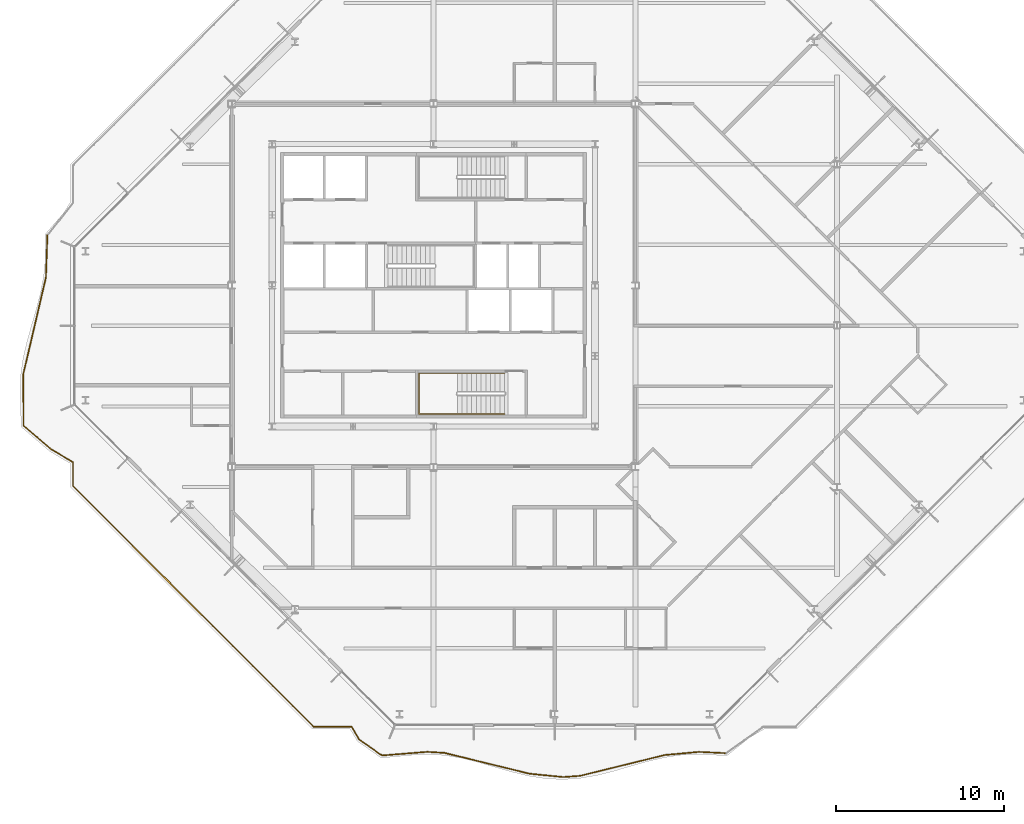
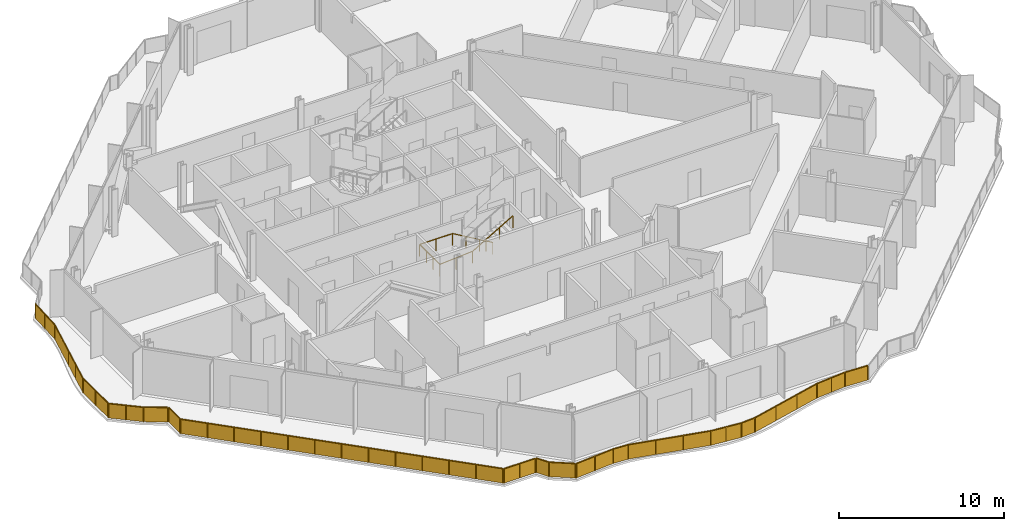
# One storey, part 13 of 17: 8 railings.
"""IFC4 building model written with IfcOpenShell, lengths in metres."""

from ifc_helpers import new_model, si_unit, direction, frame, origin, origin_2d, place, context, subcontext, project, spatial, polyline, rectangle, outline, extrude, material, type_object, element, save


model = new_model("IFC4")

# Units and contexts
model_context = context("Model", 3, precision=1e-05, world=origin(), true_north=direction((0.0, 1.0)))
body_context = subcontext(model_context, "Body", "Model", "MODEL_VIEW")
ifc_project = project(units=[si_unit("LENGTHUNIT", "METRE"), si_unit("AREAUNIT", "SQUARE_METRE"), si_unit("VOLUMEUNIT", "CUBIC_METRE"), si_unit("PLANEANGLEUNIT", "RADIAN"), si_unit("MASSUNIT", "GRAM", prefix="KILO")], contexts=[model_context])

# Site, building, storey
site_placement = place(None, origin())
site = spatial("IfcSite", under=ifc_project, at=site_placement, CompositionType="ELEMENT")
building_placement = place(site_placement, origin())
building = spatial("IfcBuilding", under=site, at=building_placement, Name="Cairn Pilgrim Tower", CompositionType="ELEMENT")
storey_placement = place(building_placement, frame((0.0, 0.0, 210.60009765625)))
storey = spatial("IfcBuildingStorey", under=building, at=storey_placement, Name="L53", CompositionType="ELEMENT", Elevation=210.60009765625)

# Railings
ifc_material_1 = material(Name="Bronze anodised aluminium rail and posts with laminated glass infill", Category="aluminium")
railing_type_1 = type_object("IfcRailingType", Name="BALCONY GUARD 1100", PredefinedType="GUARDRAIL", material=ifc_material_1)
railing_1_placement = place(storey_placement, frame((-15.768798828125, 5.373779296875, 0.0)))
element("IfcRailing", 1, at=railing_1_placement, inside=storey, type_object=railing_type_1, Name="Balcony guard BG-17", PredefinedType="GUARDRAIL", context=body_context, shape_type="SweptSolid", body=[
    extrude(rectangle(XDim=0.050048828125, YDim=0.050048828125, at=origin_2d()), frame((0.0, 0.0, 1.0751953125), z_axis=(-0.035428405129, -0.999372216999, 0.0), x_axis=(0.999372216999, -0.035428405129, 0.0)), (0.0, 0.0, 1.0), 2.51513671875),
    extrude(rectangle(XDim=0.050048828125, YDim=0.050048828125, at=origin_2d()), frame((-0.089111328125, -2.513671875, 1.0751953125), z_axis=(-0.22820844639, -0.973612297065, 0.0), x_axis=(0.973612297065, -0.22820844639, 0.0)), (0.0, 0.0, 1.0), 5.912841796875),
    extrude(rectangle(XDim=0.050048828125, YDim=0.050048828125, at=origin_2d()), frame((-1.4384765625, -8.2705078125, 1.0751953125), z_axis=(0.006776460996, -0.999977039525, 0.0), x_axis=(0.999977039525, 0.006776460996, 0.0)), (0.0, 0.0, 1.0), 2.990234375),
    extrude(rectangle(XDim=0.050048828125, YDim=0.050048828125, at=origin_2d()), origin(), (0.0, 0.0, 1.0), 1.050048828125),
    extrude(rectangle(XDim=0.050048828125, YDim=0.050048828125, at=origin_2d()), frame((-0.04443359375, -1.2568359375, 0.0)), (0.0, 0.0, 1.0), 1.050048828125),
    extrude(rectangle(XDim=0.050048828125, YDim=0.050048828125, at=origin_2d()), frame((-0.089111328125, -2.513671875, 0.0)), (0.0, 0.0, 1.0), 1.050048828125),
    extrude(rectangle(XDim=0.050048828125, YDim=0.050048828125, at=origin_2d()), frame((-0.426513671875, -3.952880859375, 0.0)), (0.0, 0.0, 1.0), 1.050048828125),
    extrude(rectangle(XDim=0.050048828125, YDim=0.050048828125, at=origin_2d()), frame((-0.763671875, -5.39208984375, 0.0)), (0.0, 0.0, 1.0), 1.050048828125),
    extrude(rectangle(XDim=0.050048828125, YDim=0.050048828125, at=origin_2d()), frame((-1.10107421875, -6.831298828125, 0.0)), (0.0, 0.0, 1.0), 1.050048828125),
    extrude(rectangle(XDim=0.050048828125, YDim=0.050048828125, at=origin_2d()), frame((-1.4384765625, -8.2705078125, 0.0)), (0.0, 0.0, 1.0), 1.050048828125),
    extrude(rectangle(XDim=0.050048828125, YDim=0.050048828125, at=origin_2d()), frame((-1.42822265625, -9.765625, 0.0)), (0.0, 0.0, 1.0), 1.050048828125),
    extrude(rectangle(XDim=0.050048828125, YDim=0.050048828125, at=origin_2d()), frame((-1.418212890625, -11.2607421875, 0.0)), (0.0, 0.0, 1.0), 1.050048828125),
    extrude(outline(polyline([(0.02490234375, 0.0), (1.232666015625, 0.0), (1.232666015625, 1.050048828125), (0.02490234375, 1.050048828125), (0.02490234375, 0.0)])), frame((0.005859375, -0.000244140625, 0.0), z_axis=(-0.999372216999, 0.035428405129, 0.0), x_axis=(-0.035428405129, -0.999372216999, 0.0)), (0.0, 0.0, 1.0), 0.011962890625),
    extrude(outline(polyline([(0.02490234375, 0.0), (1.232666015625, 0.0), (1.232666015625, 1.050048828125), (0.02490234375, 1.050048828125), (0.02490234375, 0.0)])), frame((-0.03857421875, -1.257080078125, 0.0), z_axis=(-0.999372216999, 0.035428405129, 0.0), x_axis=(-0.035428405129, -0.999372216999, 0.0)), (0.0, 0.0, 1.0), 0.011962890625),
    extrude(outline(polyline([(0.02490234375, 0.0), (1.453125, 0.0), (1.453125, 1.050048828125), (0.02490234375, 1.050048828125), (0.02490234375, 0.0)])), frame((-0.083251953125, -2.51513671875, 0.0), z_axis=(-0.973612297065, 0.22820844639, 0.0), x_axis=(-0.22820844639, -0.973612297065, 0.0)), (0.0, 0.0, 1.0), 0.011962890625),
    extrude(outline(polyline([(0.02490234375, 0.0), (1.453125, 0.0), (1.453125, 1.050048828125), (0.02490234375, 1.050048828125), (0.02490234375, 0.0)])), frame((-0.420654296875, -3.954345703125, 0.0), z_axis=(-0.973612297065, 0.22820844639, 0.0), x_axis=(-0.22820844639, -0.973612297065, 0.0)), (0.0, 0.0, 1.0), 0.011962890625),
    extrude(outline(polyline([(0.02490234375, 0.0), (1.453125, 0.0), (1.453125, 1.050048828125), (0.02490234375, 1.050048828125), (0.02490234375, 0.0)])), frame((-0.758056640625, -5.3935546875, 0.0), z_axis=(-0.973612297065, 0.22820844639, 0.0), x_axis=(-0.22820844639, -0.973612297065, 0.0)), (0.0, 0.0, 1.0), 0.011962890625),
    extrude(outline(polyline([(0.02490234375, 0.0), (1.453125, 0.0), (1.453125, 1.050048828125), (0.02490234375, 1.050048828125), (0.02490234375, 0.0)])), frame((-1.09521484375, -6.832763671875, 0.0), z_axis=(-0.973612297065, 0.22820844639, 0.0), x_axis=(-0.22820844639, -0.973612297065, 0.0)), (0.0, 0.0, 1.0), 0.011962890625),
    extrude(outline(polyline([(0.02490234375, 0.0), (1.47021484375, 0.0), (1.47021484375, 1.050048828125), (0.02490234375, 1.050048828125), (0.02490234375, 0.0)])), frame((-1.4326171875, -8.2705078125, 0.0), z_axis=(-0.999977039525, -0.006776460996, 0.0), x_axis=(0.006776460996, -0.999977039525, 0.0)), (0.0, 0.0, 1.0), 0.011962890625),
    extrude(outline(polyline([(0.02490234375, 0.0), (1.47021484375, 0.0), (1.47021484375, 1.050048828125), (0.02490234375, 1.050048828125), (0.02490234375, 0.0)])), frame((-1.42236328125, -9.765625, 0.0), z_axis=(-0.999977039525, -0.006776460996, 0.0), x_axis=(0.006776460996, -0.999977039525, 0.0)), (0.0, 0.0, 1.0), 0.011962890625),
])
railing_2_placement = place(storey_placement, frame((-17.1865234375, -5.94677734375, 0.0)))
element("IfcRailing", 2, at=railing_2_placement, inside=storey, type_object=railing_type_1, Name="Balcony guard BG-18", PredefinedType="GUARDRAIL", context=body_context, shape_type="SweptSolid", body=[
    extrude(rectangle(XDim=0.050048828125, YDim=0.050048828125, at=origin_2d()), frame((0.0, 0.0, 1.0751953125), z_axis=(0.758798823345, -0.65132506914, 0.0), x_axis=(0.65132506914, 0.758798823345, 0.0)), (0.0, 0.0, 1.0), 2.146728515625),
    extrude(rectangle(XDim=0.050048828125, YDim=0.050048828125, at=origin_2d()), frame((1.62890625, -1.398193359375, 1.0751953125), z_axis=(0.861779133376, -0.507283673379, 0.0), x_axis=(0.507283673379, 0.861779133376, 0.0)), (0.0, 0.0, 1.0), 1.457275390625),
    extrude(rectangle(XDim=0.050048828125, YDim=0.050048828125, at=origin_2d()), origin(), (0.0, 0.0, 1.0), 1.050048828125),
    extrude(rectangle(XDim=0.050048828125, YDim=0.050048828125, at=origin_2d()), frame((0.814453125, -0.69921875, 0.0)), (0.0, 0.0, 1.0), 1.050048828125),
    extrude(rectangle(XDim=0.050048828125, YDim=0.050048828125, at=origin_2d()), frame((1.62890625, -1.398193359375, 0.0)), (0.0, 0.0, 1.0), 1.050048828125),
    extrude(rectangle(XDim=0.050048828125, YDim=0.050048828125, at=origin_2d()), frame((2.884765625, -2.137451171875, 0.0)), (0.0, 0.0, 1.0), 1.050048828125),
    extrude(outline(polyline([(0.02490234375, 0.0), (1.04833984375, 0.0), (1.04833984375, 1.050048828125), (0.02490234375, 1.050048828125), (0.02490234375, 0.0)])), frame((0.00390625, 0.004638671875, 0.0), z_axis=(-0.65132506914, -0.758798823345, 0.0), x_axis=(0.758798823345, -0.65132506914, 0.0)), (0.0, 0.0, 1.0), 0.011962890625),
    extrude(outline(polyline([(0.02490234375, 0.0), (1.04833984375, 0.0), (1.04833984375, 1.050048828125), (0.02490234375, 1.050048828125), (0.02490234375, 0.0)])), frame((0.818359375, -0.694580078125, 0.0), z_axis=(-0.65132506914, -0.758798823345, 0.0), x_axis=(0.758798823345, -0.65132506914, 0.0)), (0.0, 0.0, 1.0), 0.011962890625),
    extrude(outline(polyline([(0.02490234375, 0.0), (1.432373046875, 0.0), (1.432373046875, 1.050048828125), (0.02490234375, 1.050048828125), (0.02490234375, 0.0)])), frame((1.6318359375, -1.39306640625, 0.0), z_axis=(-0.507283673379, -0.861779133376, 0.0), x_axis=(0.861779133376, -0.507283673379, 0.0)), (0.0, 0.0, 1.0), 0.011962890625),
])
railing_3_placement = place(storey_placement, frame((-14.25, -8.114501953125, 0.0)))
element("IfcRailing", 3, at=railing_3_placement, inside=storey, type_object=railing_type_1, Name="Balcony guard BG-19", PredefinedType="GUARDRAIL", context=body_context, shape_type="SweptSolid", body=[
    extrude(rectangle(XDim=0.050048828125, YDim=0.050048828125, at=origin_2d()), frame((0.0, 0.0, 1.0751953125), z_axis=(0.0, -1.0, 0.0), x_axis=(1.0, 0.0, 0.0)), (0.0, 0.0, 1.0), 1.36328125),
    extrude(rectangle(XDim=0.050048828125, YDim=0.050048828125, at=origin_2d()), origin(), (0.0, 0.0, 1.0), 1.050048828125),
    extrude(rectangle(XDim=0.050048828125, YDim=0.050048828125, at=origin_2d()), frame((0.0, -1.36328125, 0.0)), (0.0, 0.0, 1.0), 1.050048828125),
    extrude(outline(polyline([(0.02490234375, 0.0), (1.33837890625, 0.0), (1.33837890625, 1.050048828125), (0.02490234375, 1.050048828125), (0.02490234375, 0.0)])), frame((0.005859375, 0.0, 0.0), z_axis=(-1.0, 0.0, 0.0), x_axis=(0.0, -1.0, 0.0)), (0.0, 0.0, 1.0), 0.011962890625),
])
railing_4_placement = place(storey_placement, frame((-14.25, -9.537841796875, 0.0)))
element("IfcRailing", 4, at=railing_4_placement, inside=storey, type_object=railing_type_1, Name="Balcony guard BG-20", PredefinedType="GUARDRAIL", context=body_context, shape_type="SweptSolid", body=[
    extrude(rectangle(XDim=0.050048828125, YDim=0.050048828125, at=origin_2d()), frame((0.0, 0.0, 1.0751953125), z_axis=(0.707106781187, -0.707106781187, 0.0), x_axis=(0.707106781187, 0.707106781187, 0.0)), (0.0, 0.0, 1.0), 20.180419921875),
    extrude(rectangle(XDim=0.050048828125, YDim=0.050048828125, at=origin_2d()), origin(), (0.0, 0.0, 1.0), 1.050048828125),
    extrude(rectangle(XDim=0.050048828125, YDim=0.050048828125, at=origin_2d()), frame((1.189208984375, -1.189208984375, 0.0)), (0.0, 0.0, 1.0), 1.050048828125),
    extrude(rectangle(XDim=0.050048828125, YDim=0.050048828125, at=origin_2d()), frame((2.37841796875, -2.37841796875, 0.0)), (0.0, 0.0, 1.0), 1.050048828125),
    extrude(rectangle(XDim=0.050048828125, YDim=0.050048828125, at=origin_2d()), frame((3.5673828125, -3.5673828125, 0.0)), (0.0, 0.0, 1.0), 1.050048828125),
    extrude(rectangle(XDim=0.050048828125, YDim=0.050048828125, at=origin_2d()), frame((4.756591796875, -4.756591796875, 0.0)), (0.0, 0.0, 1.0), 1.050048828125),
    extrude(rectangle(XDim=0.050048828125, YDim=0.050048828125, at=origin_2d()), frame((5.94580078125, -5.94580078125, 0.0)), (0.0, 0.0, 1.0), 1.050048828125),
    extrude(rectangle(XDim=0.050048828125, YDim=0.050048828125, at=origin_2d()), frame((7.134765625, -7.134765625, 0.0)), (0.0, 0.0, 1.0), 1.050048828125),
    extrude(rectangle(XDim=0.050048828125, YDim=0.050048828125, at=origin_2d()), frame((8.323974609375, -8.323974609375, 0.0)), (0.0, 0.0, 1.0), 1.050048828125),
    extrude(rectangle(XDim=0.050048828125, YDim=0.050048828125, at=origin_2d()), frame((9.51318359375, -9.51318359375, 0.0)), (0.0, 0.0, 1.0), 1.050048828125),
    extrude(rectangle(XDim=0.050048828125, YDim=0.050048828125, at=origin_2d()), frame((10.702392578125, -10.702392578125, 0.0)), (0.0, 0.0, 1.0), 1.050048828125),
    extrude(rectangle(XDim=0.050048828125, YDim=0.050048828125, at=origin_2d()), frame((11.8916015625, -11.8916015625, 0.0)), (0.0, 0.0, 1.0), 1.050048828125),
    extrude(rectangle(XDim=0.050048828125, YDim=0.050048828125, at=origin_2d()), frame((13.08056640625, -13.08056640625, 0.0)), (0.0, 0.0, 1.0), 1.050048828125),
    extrude(rectangle(XDim=0.050048828125, YDim=0.050048828125, at=origin_2d()), frame((14.269775390625, -14.269775390625, 0.0)), (0.0, 0.0, 1.0), 1.050048828125),
    extrude(outline(polyline([(0.02490234375, 0.0), (1.65673828125, 0.0), (1.65673828125, 1.050048828125), (0.02490234375, 1.050048828125), (0.02490234375, 0.0)])), frame((0.004150390625, 0.004150390625, 0.0), z_axis=(-0.707106781187, -0.707106781187, 0.0), x_axis=(0.707106781187, -0.707106781187, 0.0)), (0.0, 0.0, 1.0), 0.011962890625),
    extrude(outline(polyline([(0.02490234375, 0.0), (1.65673828125, 0.0), (1.65673828125, 1.050048828125), (0.02490234375, 1.050048828125), (0.02490234375, 0.0)])), frame((1.193359375, -1.184814453125, 0.0), z_axis=(-0.707106781187, -0.707106781187, 0.0), x_axis=(0.707106781187, -0.707106781187, 0.0)), (0.0, 0.0, 1.0), 0.011962890625),
    extrude(outline(polyline([(0.02490234375, 0.0), (1.65673828125, 0.0), (1.65673828125, 1.050048828125), (0.02490234375, 1.050048828125), (0.02490234375, 0.0)])), frame((2.382568359375, -2.3740234375, 0.0), z_axis=(-0.707106781187, -0.707106781187, 0.0), x_axis=(0.707106781187, -0.707106781187, 0.0)), (0.0, 0.0, 1.0), 0.011962890625),
    extrude(outline(polyline([(0.02490234375, 0.0), (1.65673828125, 0.0), (1.65673828125, 1.050048828125), (0.02490234375, 1.050048828125), (0.02490234375, 0.0)])), frame((3.57177734375, -3.563232421875, 0.0), z_axis=(-0.707106781187, -0.707106781187, 0.0), x_axis=(0.707106781187, -0.707106781187, 0.0)), (0.0, 0.0, 1.0), 0.011962890625),
    extrude(outline(polyline([(0.02490234375, 0.0), (1.65673828125, 0.0), (1.65673828125, 1.050048828125), (0.02490234375, 1.050048828125), (0.02490234375, 0.0)])), frame((4.7607421875, -4.75244140625, 0.0), z_axis=(-0.707106781187, -0.707106781187, 0.0), x_axis=(0.707106781187, -0.707106781187, 0.0)), (0.0, 0.0, 1.0), 0.011962890625),
    extrude(outline(polyline([(0.02490234375, 0.0), (1.65673828125, 0.0), (1.65673828125, 1.050048828125), (0.02490234375, 1.050048828125), (0.02490234375, 0.0)])), frame((5.949951171875, -5.94140625, 0.0), z_axis=(-0.707106781187, -0.707106781187, 0.0), x_axis=(0.707106781187, -0.707106781187, 0.0)), (0.0, 0.0, 1.0), 0.011962890625),
    extrude(outline(polyline([(0.02490234375, 0.0), (1.65673828125, 0.0), (1.65673828125, 1.050048828125), (0.02490234375, 1.050048828125), (0.02490234375, 0.0)])), frame((7.13916015625, -7.130615234375, 0.0), z_axis=(-0.707106781187, -0.707106781187, 0.0), x_axis=(0.707106781187, -0.707106781187, 0.0)), (0.0, 0.0, 1.0), 0.011962890625),
    extrude(outline(polyline([(0.02490234375, 0.0), (1.65673828125, 0.0), (1.65673828125, 1.050048828125), (0.02490234375, 1.050048828125), (0.02490234375, 0.0)])), frame((8.328369140625, -8.31982421875, 0.0), z_axis=(-0.707106781187, -0.707106781187, 0.0), x_axis=(0.707106781187, -0.707106781187, 0.0)), (0.0, 0.0, 1.0), 0.011962890625),
    extrude(outline(polyline([(0.02490234375, 0.0), (1.65673828125, 0.0), (1.65673828125, 1.050048828125), (0.02490234375, 1.050048828125), (0.02490234375, 0.0)])), frame((9.517333984375, -9.509033203125, 0.0), z_axis=(-0.707106781187, -0.707106781187, 0.0), x_axis=(0.707106781187, -0.707106781187, 0.0)), (0.0, 0.0, 1.0), 0.011962890625),
    extrude(outline(polyline([(0.02490234375, 0.0), (1.65673828125, 0.0), (1.65673828125, 1.050048828125), (0.02490234375, 1.050048828125), (0.02490234375, 0.0)])), frame((10.70654296875, -10.697998046875, 0.0), z_axis=(-0.707106781187, -0.707106781187, 0.0), x_axis=(0.707106781187, -0.707106781187, 0.0)), (0.0, 0.0, 1.0), 0.011962890625),
    extrude(outline(polyline([(0.02490234375, 0.0), (1.65673828125, 0.0), (1.65673828125, 1.050048828125), (0.02490234375, 1.050048828125), (0.02490234375, 0.0)])), frame((11.895751953125, -11.88720703125, 0.0), z_axis=(-0.707106781187, -0.707106781187, 0.0), x_axis=(0.707106781187, -0.707106781187, 0.0)), (0.0, 0.0, 1.0), 0.011962890625),
    extrude(outline(polyline([(0.02490234375, 0.0), (1.65673828125, 0.0), (1.65673828125, 1.050048828125), (0.02490234375, 1.050048828125), (0.02490234375, 0.0)])), frame((13.0849609375, -13.076416015625, 0.0), z_axis=(-0.707106781187, -0.707106781187, 0.0), x_axis=(0.707106781187, -0.707106781187, 0.0)), (0.0, 0.0, 1.0), 0.011962890625),
])
railing_5_placement = place(storey_placement, frame((0.06201171875, -23.85009765625, 0.0)))
element("IfcRailing", 5, at=railing_5_placement, inside=storey, type_object=railing_type_1, Name="Balcony guard BG-21", PredefinedType="GUARDRAIL", context=body_context, shape_type="SweptSolid", body=[
    extrude(rectangle(XDim=0.050048828125, YDim=0.050048828125, at=origin_2d()), frame((0.0, 0.0, 1.0751953125), z_axis=(1.0, 0.0, 0.0), x_axis=(0.0, 1.0, 0.0)), (0.0, 0.0, 1.0), 2.19873046875),
    extrude(rectangle(XDim=0.050048828125, YDim=0.050048828125, at=origin_2d()), origin(), (0.0, 0.0, 1.0), 1.050048828125),
    extrude(rectangle(XDim=0.050048828125, YDim=0.050048828125, at=origin_2d()), frame((1.099365234375, 0.0, 0.0)), (0.0, 0.0, 1.0), 1.050048828125),
    extrude(rectangle(XDim=0.050048828125, YDim=0.050048828125, at=origin_2d()), frame((2.19873046875, 0.0, 0.0)), (0.0, 0.0, 1.0), 1.050048828125),
    extrude(outline(polyline([(0.02490234375, 0.0), (1.07421875, 0.0), (1.07421875, 1.050048828125), (0.02490234375, 1.050048828125), (0.02490234375, 0.0)])), frame((0.0, 0.005859375, 0.0), z_axis=(0.0, -1.0, 0.0), x_axis=(1.0, 0.0, 0.0)), (0.0, 0.0, 1.0), 0.011962890625),
    extrude(outline(polyline([(0.02490234375, 0.0), (1.07421875, 0.0), (1.07421875, 1.050048828125), (0.02490234375, 1.050048828125), (0.02490234375, 0.0)])), frame((1.099365234375, 0.005859375, 0.0), z_axis=(0.0, -1.0, 0.0), x_axis=(1.0, 0.0, 0.0)), (0.0, 0.0, 1.0), 0.011962890625),
])
railing_6_placement = place(storey_placement, frame((2.32080078125, -23.85009765625, 0.0)))
element("IfcRailing", 6, at=railing_6_placement, inside=storey, type_object=railing_type_1, Name="Balcony guard BG-22", PredefinedType="GUARDRAIL", context=body_context, shape_type="SweptSolid", body=[
    extrude(rectangle(XDim=0.050048828125, YDim=0.050048828125, at=origin_2d()), frame((0.0, 0.0, 1.0751953125), z_axis=(0.510036263189, -0.860152899334, 0.0), x_axis=(0.860152899334, 0.510036263189, 0.0)), (0.0, 0.0, 1.0), 0.886962890625),
    extrude(rectangle(XDim=0.050048828125, YDim=0.050048828125, at=origin_2d()), frame((0.452392578125, -0.762939453125, 1.0751953125), z_axis=(0.81833350381, -0.574743661593, 0.0), x_axis=(0.574743661593, 0.81833350381, 0.0)), (0.0, 0.0, 1.0), 1.59765625),
    extrude(rectangle(XDim=0.050048828125, YDim=0.050048828125, at=origin_2d()), origin(), (0.0, 0.0, 1.0), 1.050048828125),
    extrude(rectangle(XDim=0.050048828125, YDim=0.050048828125, at=origin_2d()), frame((0.452392578125, -0.762939453125, 0.0)), (0.0, 0.0, 1.0), 1.050048828125),
    extrude(rectangle(XDim=0.050048828125, YDim=0.050048828125, at=origin_2d()), frame((1.759765625, -1.68115234375, 0.0)), (0.0, 0.0, 1.0), 1.050048828125),
    extrude(outline(polyline([(0.02490234375, 0.0), (0.862060546875, 0.0), (0.862060546875, 1.050048828125), (0.02490234375, 1.050048828125), (0.02490234375, 0.0)])), frame((0.005126953125, 0.0029296875, 0.0), z_axis=(-0.860152899334, -0.510036263189, 0.0), x_axis=(0.510036263189, -0.860152899334, 0.0)), (0.0, 0.0, 1.0), 0.011962890625),
    extrude(outline(polyline([(0.02490234375, 0.0), (1.572509765625, 0.0), (1.572509765625, 1.050048828125), (0.02490234375, 1.050048828125), (0.02490234375, 0.0)])), frame((0.455810546875, -0.758056640625, 0.0), z_axis=(-0.574743661593, -0.81833350381, 0.0), x_axis=(0.81833350381, -0.574743661593, 0.0)), (0.0, 0.0, 1.0), 0.011962890625),
])
railing_7_placement = place(storey_placement, frame((4.129638671875, -25.56591796875, 0.0)))
element("IfcRailing", 7, at=railing_7_placement, inside=storey, type_object=railing_type_1, Name="Balcony guard BG-23", PredefinedType="GUARDRAIL", context=body_context, shape_type="SweptSolid", body=[
    extrude(rectangle(XDim=0.050048828125, YDim=0.050048828125, at=origin_2d()), frame((0.0, 0.0, 1.0751953125), z_axis=(0.996782401205, 0.08015512865, 0.0), x_axis=(-0.08015512865, 0.996782401205, 0.0)), (0.0, 0.0, 1.0), 2.69873046875),
    extrude(rectangle(XDim=0.050048828125, YDim=0.050048828125, at=origin_2d()), frame((2.68994140625, 0.21630859375, 1.0751953125), z_axis=(0.998193842621, -0.060075390576, 0.0), x_axis=(0.060075390576, 0.998193842621, 0.0)), (0.0, 0.0, 1.0), 1.036376953125),
    extrude(rectangle(XDim=0.050048828125, YDim=0.050048828125, at=origin_2d()), frame((3.724365234375, 0.154052734375, 1.0751953125), z_axis=(0.971322740199, -0.237764872033, 0.0), x_axis=(0.237764872033, 0.971322740199, 0.0)), (0.0, 0.0, 1.0), 5.204833984375),
    extrude(rectangle(XDim=0.050048828125, YDim=0.050048828125, at=origin_2d()), frame((8.780029296875, -1.08349609375, 1.0751953125), z_axis=(0.995052829386, -0.099347202934, 0.0), x_axis=(0.099347202934, 0.995052829386, 0.0)), (0.0, 0.0, 1.0), 2.0078125),
    extrude(rectangle(XDim=0.050048828125, YDim=0.050048828125, at=origin_2d()), frame((10.77783203125, -1.282958984375, 1.0751953125), z_axis=(0.997600979407, 0.0692263381, 0.0), x_axis=(-0.0692263381, 0.997600979407, 0.0)), (0.0, 0.0, 1.0), 0.987548828125),
    extrude(rectangle(XDim=0.050048828125, YDim=0.050048828125, at=origin_2d()), frame((11.762939453125, -1.214599609375, 1.0751953125), z_axis=(0.971022252206, 0.238989091219, 0.0), x_axis=(-0.238989091219, 0.971022252206, 0.0)), (0.0, 0.0, 1.0), 5.20166015625),
    extrude(rectangle(XDim=0.050048828125, YDim=0.050048828125, at=origin_2d()), frame((16.81396484375, 0.028564453125, 1.0751953125), z_axis=(0.99590003306, 0.090460622102, 0.0), x_axis=(-0.090460622102, 0.99590003306, 0.0)), (0.0, 0.0, 1.0), 2.051025390625),
    extrude(rectangle(XDim=0.050048828125, YDim=0.050048828125, at=origin_2d()), frame((18.856689453125, 0.214111328125, 1.0751953125), z_axis=(0.998861071267, -0.047713313738, 0.0), x_axis=(0.047713313738, 0.998861071267, 0.0)), (0.0, 0.0, 1.0), 1.565673828125),
    extrude(rectangle(XDim=0.050048828125, YDim=0.050048828125, at=origin_2d()), origin(), (0.0, 0.0, 1.0), 1.050048828125),
    extrude(rectangle(XDim=0.050048828125, YDim=0.050048828125, at=origin_2d()), frame((1.344970703125, 0.108154296875, 0.0)), (0.0, 0.0, 1.0), 1.050048828125),
    extrude(rectangle(XDim=0.050048828125, YDim=0.050048828125, at=origin_2d()), frame((2.68994140625, 0.21630859375, 0.0)), (0.0, 0.0, 1.0), 1.050048828125),
    extrude(rectangle(XDim=0.050048828125, YDim=0.050048828125, at=origin_2d()), frame((3.724365234375, 0.154052734375, 0.0)), (0.0, 0.0, 1.0), 1.050048828125),
    extrude(rectangle(XDim=0.050048828125, YDim=0.050048828125, at=origin_2d()), frame((5.40966796875, -0.258544921875, 0.0)), (0.0, 0.0, 1.0), 1.050048828125),
    extrude(rectangle(XDim=0.050048828125, YDim=0.050048828125, at=origin_2d()), frame((7.0947265625, -0.6708984375, 0.0)), (0.0, 0.0, 1.0), 1.050048828125),
    extrude(rectangle(XDim=0.050048828125, YDim=0.050048828125, at=origin_2d()), frame((8.780029296875, -1.08349609375, 0.0)), (0.0, 0.0, 1.0), 1.050048828125),
    extrude(rectangle(XDim=0.050048828125, YDim=0.050048828125, at=origin_2d()), frame((9.77880859375, -1.18310546875, 0.0)), (0.0, 0.0, 1.0), 1.050048828125),
    extrude(rectangle(XDim=0.050048828125, YDim=0.050048828125, at=origin_2d()), frame((10.77783203125, -1.282958984375, 0.0)), (0.0, 0.0, 1.0), 1.050048828125),
    extrude(rectangle(XDim=0.050048828125, YDim=0.050048828125, at=origin_2d()), frame((11.762939453125, -1.214599609375, 0.0)), (0.0, 0.0, 1.0), 1.050048828125),
    extrude(rectangle(XDim=0.050048828125, YDim=0.050048828125, at=origin_2d()), frame((13.446533203125, -0.80029296875, 0.0)), (0.0, 0.0, 1.0), 1.050048828125),
    extrude(rectangle(XDim=0.050048828125, YDim=0.050048828125, at=origin_2d()), frame((15.13037109375, -0.3857421875, 0.0)), (0.0, 0.0, 1.0), 1.050048828125),
    extrude(rectangle(XDim=0.050048828125, YDim=0.050048828125, at=origin_2d()), frame((16.81396484375, 0.028564453125, 0.0)), (0.0, 0.0, 1.0), 1.050048828125),
    extrude(rectangle(XDim=0.050048828125, YDim=0.050048828125, at=origin_2d()), frame((17.83544921875, 0.121337890625, 0.0)), (0.0, 0.0, 1.0), 1.050048828125),
    extrude(rectangle(XDim=0.050048828125, YDim=0.050048828125, at=origin_2d()), frame((18.856689453125, 0.214111328125, 0.0)), (0.0, 0.0, 1.0), 1.050048828125),
    extrude(rectangle(XDim=0.050048828125, YDim=0.050048828125, at=origin_2d()), frame((20.420654296875, 0.139404296875, 0.0)), (0.0, 0.0, 1.0), 1.050048828125),
    extrude(outline(polyline([(0.02490234375, 0.0), (1.32421875, 0.0), (1.32421875, 1.050048828125), (0.02490234375, 1.050048828125), (0.02490234375, 0.0)])), frame((-0.00048828125, 0.005859375, 0.0), z_axis=(0.08015512865, -0.996782401205, 0.0), x_axis=(0.996782401205, 0.08015512865, 0.0)), (0.0, 0.0, 1.0), 0.011962890625),
    extrude(outline(polyline([(0.02490234375, 0.0), (1.32421875, 0.0), (1.32421875, 1.050048828125), (0.02490234375, 1.050048828125), (0.02490234375, 0.0)])), frame((1.344482421875, 0.114013671875, 0.0), z_axis=(0.08015512865, -0.996782401205, 0.0), x_axis=(0.996782401205, 0.08015512865, 0.0)), (0.0, 0.0, 1.0), 0.011962890625),
    extrude(outline(polyline([(0.02490234375, 0.0), (1.01123046875, 0.0), (1.01123046875, 1.050048828125), (0.02490234375, 1.050048828125), (0.02490234375, 0.0)])), frame((2.690185546875, 0.22216796875, 0.0), z_axis=(-0.060075390576, -0.998193842621, 0.0), x_axis=(0.998193842621, -0.060075390576, 0.0)), (0.0, 0.0, 1.0), 0.011962890625),
    extrude(outline(polyline([(0.02490234375, 0.0), (1.7099609375, 0.0), (1.7099609375, 1.050048828125), (0.02490234375, 1.050048828125), (0.02490234375, 0.0)])), frame((3.725830078125, 0.159912109375, 0.0), z_axis=(-0.237764872033, -0.971322740199, 0.0), x_axis=(0.971322740199, -0.237764872033, 0.0)), (0.0, 0.0, 1.0), 0.011962890625),
    extrude(outline(polyline([(0.02490234375, 0.0), (1.7099609375, 0.0), (1.7099609375, 1.050048828125), (0.02490234375, 1.050048828125), (0.02490234375, 0.0)])), frame((5.410888671875, -0.252685546875, 0.0), z_axis=(-0.237764872033, -0.971322740199, 0.0), x_axis=(0.971322740199, -0.237764872033, 0.0)), (0.0, 0.0, 1.0), 0.011962890625),
    extrude(outline(polyline([(0.02490234375, 0.0), (1.7099609375, 0.0), (1.7099609375, 1.050048828125), (0.02490234375, 1.050048828125), (0.02490234375, 0.0)])), frame((7.09619140625, -0.665283203125, 0.0), z_axis=(-0.237764872033, -0.971322740199, 0.0), x_axis=(0.971322740199, -0.237764872033, 0.0)), (0.0, 0.0, 1.0), 0.011962890625),
    extrude(outline(polyline([(0.02490234375, 0.0), (0.978759765625, 0.0), (0.978759765625, 1.050048828125), (0.02490234375, 1.050048828125), (0.02490234375, 0.0)])), frame((8.780517578125, -1.07763671875, 0.0), z_axis=(-0.099347202934, -0.995052829386, 0.0), x_axis=(0.995052829386, -0.099347202934, 0.0)), (0.0, 0.0, 1.0), 0.011962890625),
    extrude(outline(polyline([(0.02490234375, 0.0), (0.978759765625, 0.0), (0.978759765625, 1.050048828125), (0.02490234375, 1.050048828125), (0.02490234375, 0.0)])), frame((9.779541015625, -1.17724609375, 0.0), z_axis=(-0.099347202934, -0.995052829386, 0.0), x_axis=(0.995052829386, -0.099347202934, 0.0)), (0.0, 0.0, 1.0), 0.011962890625),
    extrude(outline(polyline([(0.02490234375, 0.0), (0.96240234375, 0.0), (0.96240234375, 1.050048828125), (0.02490234375, 1.050048828125), (0.02490234375, 0.0)])), frame((10.77734375, -1.277099609375, 0.0), z_axis=(0.0692263381, -0.997600979407, 0.0), x_axis=(0.997600979407, 0.0692263381, 0.0)), (0.0, 0.0, 1.0), 0.011962890625),
    extrude(outline(polyline([(0.02490234375, 0.0), (1.708984375, 0.0), (1.708984375, 1.050048828125), (0.02490234375, 1.050048828125), (0.02490234375, 0.0)])), frame((11.761474609375, -1.208740234375, 0.0), z_axis=(0.238989091219, -0.971022252206, 0.0), x_axis=(0.971022252206, 0.238989091219, 0.0)), (0.0, 0.0, 1.0), 0.011962890625),
    extrude(outline(polyline([(0.02490234375, 0.0), (1.708984375, 0.0), (1.708984375, 1.050048828125), (0.02490234375, 1.050048828125), (0.02490234375, 0.0)])), frame((13.445068359375, -0.79443359375, 0.0), z_axis=(0.238989091219, -0.971022252206, 0.0), x_axis=(0.971022252206, 0.238989091219, 0.0)), (0.0, 0.0, 1.0), 0.011962890625),
    extrude(outline(polyline([(0.02490234375, 0.0), (1.708984375, 0.0), (1.708984375, 1.050048828125), (0.02490234375, 1.050048828125), (0.02490234375, 0.0)])), frame((15.12890625, -0.380126953125, 0.0), z_axis=(0.238989091219, -0.971022252206, 0.0), x_axis=(0.971022252206, 0.238989091219, 0.0)), (0.0, 0.0, 1.0), 0.011962890625),
    extrude(outline(polyline([(0.02490234375, 0.0), (1.00048828125, 0.0), (1.00048828125, 1.050048828125), (0.02490234375, 1.050048828125), (0.02490234375, 0.0)])), frame((16.8134765625, 0.034423828125, 0.0), z_axis=(0.090460622102, -0.99590003306, 0.0), x_axis=(0.99590003306, 0.090460622102, 0.0)), (0.0, 0.0, 1.0), 0.011962890625),
    extrude(outline(polyline([(0.02490234375, 0.0), (1.00048828125, 0.0), (1.00048828125, 1.050048828125), (0.02490234375, 1.050048828125), (0.02490234375, 0.0)])), frame((17.834716796875, 0.127197265625, 0.0), z_axis=(0.090460622102, -0.99590003306, 0.0), x_axis=(0.99590003306, 0.090460622102, 0.0)), (0.0, 0.0, 1.0), 0.011962890625),
    extrude(outline(polyline([(0.02490234375, 0.0), (1.540771484375, 0.0), (1.540771484375, 1.050048828125), (0.02490234375, 1.050048828125), (0.02490234375, 0.0)])), frame((18.85693359375, 0.219970703125, 0.0), z_axis=(-0.047713313738, -0.998861071267, 0.0), x_axis=(0.998861071267, -0.047713313738, 0.0)), (0.0, 0.0, 1.0), 0.011962890625),
])
ifc_material_2 = material(Name="Painted steel", Category="steel")
railing_type_2 = type_object("IfcRailingType", Name="STAIR HANDRAIL 900", PredefinedType="HANDRAIL", material=ifc_material_2)
railing_8_placement = place(storey_placement, frame((11.425048828125, -2.824951171875, 0.16357421875)))
element("IfcRailing", 8, at=railing_8_placement, inside=storey, type_object=railing_type_2, Name="L53 ST-A stair handrail 1", PredefinedType="HANDRAIL", context=body_context, shape_type="SweptSolid", body=[
    extrude(rectangle(XDim=0.048095703125, YDim=0.048095703125, at=origin_2d()), frame((0.0, 0.0, 0.8759765625), z_axis=(-0.863393664356, 0.0, 0.504530851732), x_axis=(0.0, -1.0, 0.0)), (0.0, 0.0, 1.0), 3.2431640625),
    extrude(rectangle(XDim=0.048095703125, YDim=0.048095703125, at=origin_2d()), frame((-2.800048828125, 0.0, 2.51220703125), z_axis=(-1.0, 0.0, 0.0), x_axis=(0.0, -1.0, 0.0)), (0.0, 0.0, 1.0), 2.300048828125),
    extrude(rectangle(XDim=0.048095703125, YDim=0.048095703125, at=origin_2d()), frame((-5.10009765625, 0.0, 2.51220703125), z_axis=(0.0, -1.0, 0.0), x_axis=(1.0, 0.0, 0.0)), (0.0, 0.0, 1.0), 2.425048828125),
    extrude(rectangle(XDim=0.048095703125, YDim=0.048095703125, at=origin_2d()), frame((-5.10009765625, -2.425048828125, 2.51220703125), z_axis=(0.99747319029, 0.0, 0.071043892441), x_axis=(0.0, 1.0, 0.0)), (0.0, 0.0, 1.0), 2.305908203125),
    extrude(rectangle(XDim=0.048095703125, YDim=0.048095703125, at=origin_2d()), frame((-2.800048828125, -2.425048828125, 2.67578125), z_axis=(0.863393664356, 0.0, 0.504530851732), x_axis=(0.0, 1.0, 0.0)), (0.0, 0.0, 1.0), 3.2431640625),
    extrude(rectangle(XDim=0.0419921875, YDim=0.0419921875, at=origin_2d()), origin(), (0.0, 0.0, 1.0), 0.851806640625),
    extrude(rectangle(XDim=0.0419921875, YDim=0.0419921875, at=origin_2d()), frame((-0.933349609375, 0.0, 0.54541015625)), (0.0, 0.0, 1.0), 0.851806640625),
    extrude(rectangle(XDim=0.0419921875, YDim=0.0419921875, at=origin_2d()), frame((-1.86669921875, 0.0, 1.0908203125)), (0.0, 0.0, 1.0), 0.851806640625),
    extrude(rectangle(XDim=0.0419921875, YDim=0.0419921875, at=origin_2d()), frame((-2.800048828125, 0.0, 1.63623046875)), (0.0, 0.0, 1.0), 0.851806640625),
    extrude(rectangle(XDim=0.0419921875, YDim=0.0419921875, at=origin_2d()), frame((-3.9501953125, 0.0, 1.63623046875)), (0.0, 0.0, 1.0), 0.851806640625),
    extrude(rectangle(XDim=0.0419921875, YDim=0.0419921875, at=origin_2d()), frame((-5.10009765625, 0.0, 1.63623046875)), (0.0, 0.0, 1.0), 0.851806640625),
    extrude(rectangle(XDim=0.0419921875, YDim=0.0419921875, at=origin_2d()), frame((-5.10009765625, -0.808349609375, 1.63623046875)), (0.0, 0.0, 1.0), 0.851806640625),
    extrude(rectangle(XDim=0.0419921875, YDim=0.0419921875, at=origin_2d()), frame((-5.10009765625, -1.61669921875, 1.63623046875)), (0.0, 0.0, 1.0), 0.851806640625),
    extrude(rectangle(XDim=0.0419921875, YDim=0.0419921875, at=origin_2d()), frame((-5.10009765625, -2.425048828125, 1.63623046875)), (0.0, 0.0, 1.0), 0.851806640625),
    extrude(rectangle(XDim=0.0419921875, YDim=0.0419921875, at=origin_2d()), frame((-3.9501953125, -2.425048828125, 1.71826171875)), (0.0, 0.0, 1.0), 0.851806640625),
    extrude(rectangle(XDim=0.0419921875, YDim=0.0419921875, at=origin_2d()), frame((-2.800048828125, -2.425048828125, 1.800048828125)), (0.0, 0.0, 1.0), 0.851806640625),
    extrude(rectangle(XDim=0.0419921875, YDim=0.0419921875, at=origin_2d()), frame((-1.86669921875, -2.425048828125, 2.345458984375)), (0.0, 0.0, 1.0), 0.851806640625),
    extrude(rectangle(XDim=0.0419921875, YDim=0.0419921875, at=origin_2d()), frame((-0.933349609375, -2.425048828125, 2.890869140625)), (0.0, 0.0, 1.0), 0.851806640625),
    extrude(rectangle(XDim=0.0419921875, YDim=0.0419921875, at=origin_2d()), frame((0.0, -2.425048828125, 3.436279296875)), (0.0, 0.0, 1.0), 0.851806640625),
])

save(model, "model.ifc")
